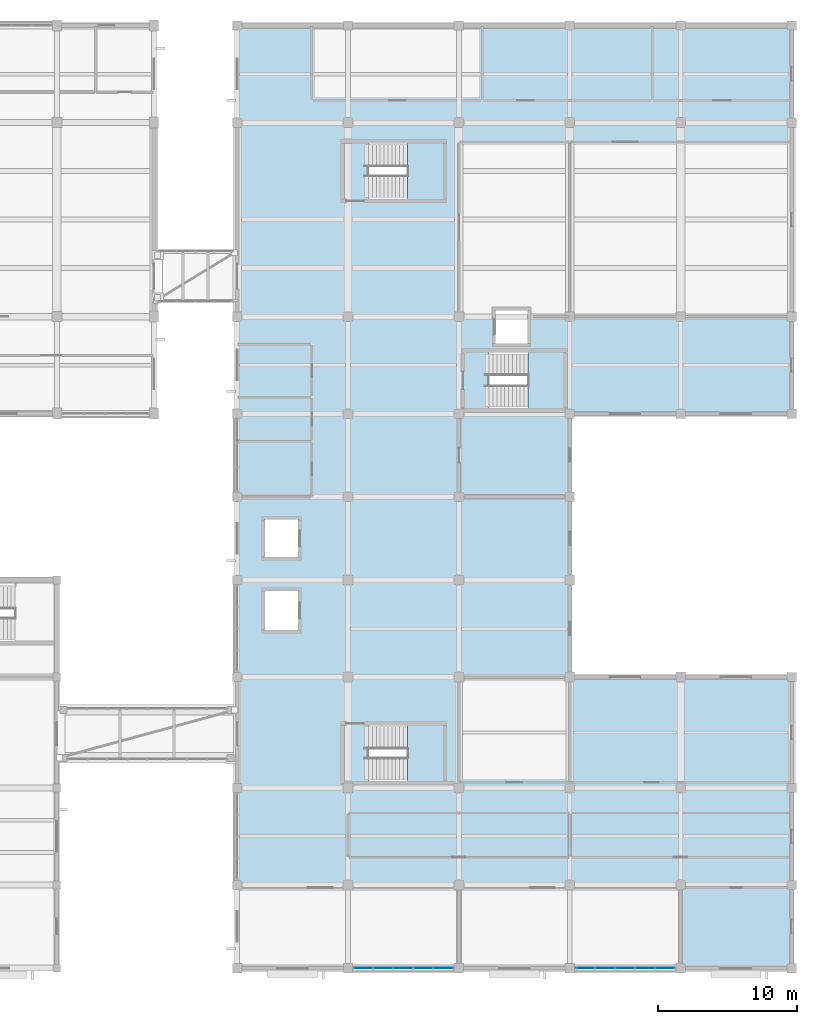
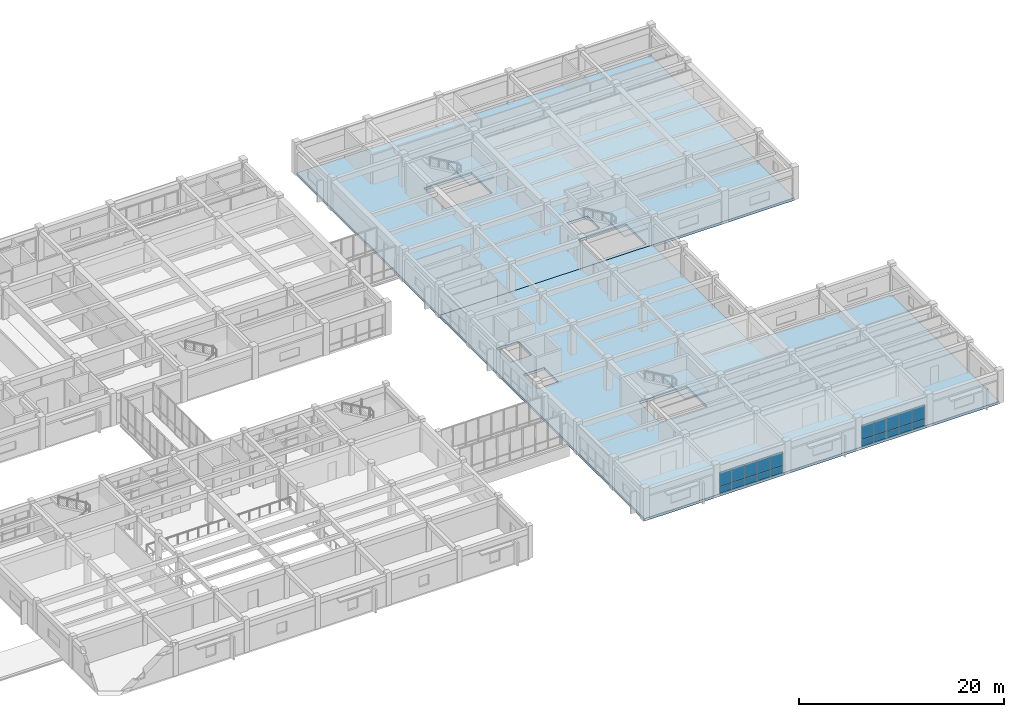
# One storey, part 42 of 66: 20 plates, 5 slabs, 5 elements without a shape of their own.
"""IFC4 building model written with IfcOpenShell, lengths in metres."""

from ifc_helpers import new_model, si_unit, direction, frame, origin, origin_2d, place, context, subcontext, project, spatial, polyline, rectangle, outline, extrude, material, layer, layer_set, type_object, element, aggregate, save


model = new_model("IFC4")

# Units and contexts
model_context = context("Model", 3, precision=1e-05, world=origin(), true_north=direction((0.0, 1.0)))
body_context = subcontext(model_context, "Body", "Model", "MODEL_VIEW")
ifc_project = project(units=[si_unit("LENGTHUNIT", "METRE"), si_unit("AREAUNIT", "SQUARE_METRE"), si_unit("VOLUMEUNIT", "CUBIC_METRE"), si_unit("PLANEANGLEUNIT", "RADIAN"), si_unit("MASSUNIT", "GRAM", prefix="KILO")], contexts=[model_context])

# Site, building, storey
site_placement = place(None, origin())
site = spatial("IfcSite", under=ifc_project, at=site_placement, CompositionType="ELEMENT")
building_placement = place(site_placement, origin())
building = spatial("IfcBuilding", under=site, at=building_placement, Name="Naurynzar Civic Courthouse", CompositionType="ELEMENT")
storey_placement = place(building_placement, frame((0.0, 0.0, 14.39990234375)))
storey = spatial("IfcBuildingStorey", under=building, at=storey_placement, Name="L04", CompositionType="ELEMENT", Elevation=14.39990234375)

# Curtain wall, plates
ifc_material_1 = material(Name="Aluminium 6063-T6", Category="aluminium")
ifc_layer_1 = layer(ifc_material_1, 0.179931640625)
ifc_layer_set_1 = layer_set([ifc_layer_1], Name="CW-UNIT-1500")
curtain_wall_type = type_object("IfcCurtainWallType", Name="CW-UNIT-1500", PredefinedType="NOTDEFINED", material=ifc_layer_set_1)
curtain_wall_1_placement = place(storey_placement, origin())
curtain_wall_1 = element("IfcCurtainWall", 1, at=curtain_wall_1_placement, inside=storey, type_object=curtain_wall_type, Name="V5 unitised curtain wall 100 L04", PredefinedType="NOTDEFINED")
ifc_material_2 = material(Name="Tempered Laminated Low-E Glass", Category="glass")
ifc_layer_2 = layer(ifc_material_2, 0.031982421875)
ifc_layer_set_2 = layer_set([ifc_layer_2], Name="CWP-IGU-32")
plate_type = type_object("IfcPlateType", Name="CWP-IGU-32", PredefinedType="CURTAIN_PANEL", material=ifc_layer_set_2)
plate_1_placement = place(storey_placement, frame((160.875, 4.0, 0.06005859375), z_axis=(0.0, 0.0, 1.0), x_axis=(-1.0, 0.0, 0.0)))
plate_1 = element("IfcPlate", 2, at=plate_1_placement, type_object=plate_type, Name="CW-01 panel 1.1", PredefinedType="CURTAIN_PANEL", context=body_context, shape_type="SweptSolid", body=[
    extrude(rectangle(XDim=1.35498046875, YDim=0.031982421875, at=origin_2d()), origin(), (0.0, 0.0, 1.0), 0.760009765625),
])
plate_2_placement = place(storey_placement, frame((160.875, 4.0, 0.880126953125), z_axis=(0.0, 0.0, 1.0), x_axis=(-1.0, 0.0, 0.0)))
plate_2 = element("IfcPlate", 3, at=plate_2_placement, type_object=plate_type, Name="CW-01 panel 1.2", PredefinedType="CURTAIN_PANEL", context=body_context, shape_type="SweptSolid", body=[
    extrude(rectangle(XDim=1.35498046875, YDim=0.031982421875, at=origin_2d()), origin(), (0.0, 0.0, 1.0), 1.669921875),
])
plate_3_placement = place(storey_placement, frame((159.445068359375, 4.0, 0.06005859375), z_axis=(0.0, 0.0, 1.0), x_axis=(-1.0, 0.0, 0.0)))
plate_3 = element("IfcPlate", 4, at=plate_3_placement, type_object=plate_type, Name="CW-01 panel 2.1", PredefinedType="CURTAIN_PANEL", context=body_context, shape_type="SweptSolid", body=[
    extrude(rectangle(XDim=1.385009765625, YDim=0.031982421875, at=origin_2d()), origin(), (0.0, 0.0, 1.0), 0.760009765625),
])
plate_4_placement = place(storey_placement, frame((159.445068359375, 4.0, 0.880126953125), z_axis=(0.0, 0.0, 1.0), x_axis=(-1.0, 0.0, 0.0)))
plate_4 = element("IfcPlate", 5, at=plate_4_placement, type_object=plate_type, Name="CW-01 panel 2.2", PredefinedType="CURTAIN_PANEL", context=body_context, shape_type="SweptSolid", body=[
    extrude(rectangle(XDim=1.385009765625, YDim=0.031982421875, at=origin_2d()), origin(), (0.0, 0.0, 1.0), 1.669921875),
])
plate_5_placement = place(storey_placement, frame((158.0, 4.0, 0.06005859375), z_axis=(0.0, 0.0, 1.0), x_axis=(-1.0, 0.0, 0.0)))
plate_5 = element("IfcPlate", 6, at=plate_5_placement, type_object=plate_type, Name="CW-01 panel 3.1", PredefinedType="CURTAIN_PANEL", context=body_context, shape_type="SweptSolid", body=[
    extrude(rectangle(XDim=1.385009765625, YDim=0.031982421875, at=origin_2d()), origin(), (0.0, 0.0, 1.0), 0.760009765625),
])
plate_6_placement = place(storey_placement, frame((158.0, 4.0, 0.880126953125), z_axis=(0.0, 0.0, 1.0), x_axis=(-1.0, 0.0, 0.0)))
plate_6 = element("IfcPlate", 7, at=plate_6_placement, type_object=plate_type, Name="CW-01 panel 3.2", PredefinedType="CURTAIN_PANEL", context=body_context, shape_type="SweptSolid", body=[
    extrude(rectangle(XDim=1.385009765625, YDim=0.031982421875, at=origin_2d()), origin(), (0.0, 0.0, 1.0), 1.669921875),
])
plate_7_placement = place(storey_placement, frame((156.554931640625, 4.0, 0.06005859375), z_axis=(0.0, 0.0, 1.0), x_axis=(-1.0, 0.0, 0.0)))
plate_7 = element("IfcPlate", 8, at=plate_7_placement, type_object=plate_type, Name="CW-01 panel 4.1", PredefinedType="CURTAIN_PANEL", context=body_context, shape_type="SweptSolid", body=[
    extrude(rectangle(XDim=1.385009765625, YDim=0.031982421875, at=origin_2d()), origin(), (0.0, 0.0, 1.0), 0.760009765625),
])
plate_8_placement = place(storey_placement, frame((156.554931640625, 4.0, 0.880126953125), z_axis=(0.0, 0.0, 1.0), x_axis=(-1.0, 0.0, 0.0)))
plate_8 = element("IfcPlate", 9, at=plate_8_placement, type_object=plate_type, Name="CW-01 panel 4.2", PredefinedType="CURTAIN_PANEL", context=body_context, shape_type="SweptSolid", body=[
    extrude(rectangle(XDim=1.385009765625, YDim=0.031982421875, at=origin_2d()), origin(), (0.0, 0.0, 1.0), 1.669921875),
])
plate_9_placement = place(storey_placement, frame((155.125, 4.0, 0.06005859375), z_axis=(0.0, 0.0, 1.0), x_axis=(-1.0, 0.0, 0.0)))
plate_9 = element("IfcPlate", 10, at=plate_9_placement, type_object=plate_type, Name="CW-01 panel 5.1", PredefinedType="CURTAIN_PANEL", context=body_context, shape_type="SweptSolid", body=[
    extrude(rectangle(XDim=1.35498046875, YDim=0.031982421875, at=origin_2d()), origin(), (0.0, 0.0, 1.0), 0.760009765625),
])
plate_10_placement = place(storey_placement, frame((155.125, 4.0, 0.880126953125), z_axis=(0.0, 0.0, 1.0), x_axis=(-1.0, 0.0, 0.0)))
plate_10 = element("IfcPlate", 11, at=plate_10_placement, type_object=plate_type, Name="CW-01 panel 5.2", PredefinedType="CURTAIN_PANEL", context=body_context, shape_type="SweptSolid", body=[
    extrude(rectangle(XDim=1.35498046875, YDim=0.031982421875, at=origin_2d()), origin(), (0.0, 0.0, 1.0), 1.669921875),
])
aggregate(curtain_wall_1, [plate_1, plate_2, plate_3, plate_4, plate_5, plate_6, plate_7, plate_8, plate_9, plate_10])

curtain_wall_2_placement = place(storey_placement, origin())
curtain_wall_2 = element("IfcCurtainWall", 12, at=curtain_wall_2_placement, inside=storey, type_object=curtain_wall_type, Name="V5 unitised curtain wall 101 L04", PredefinedType="NOTDEFINED")
plate_11_placement = place(storey_placement, frame((144.875, 4.0, 0.06005859375), z_axis=(0.0, 0.0, 1.0), x_axis=(-1.0, 0.0, 0.0)))
plate_11 = element("IfcPlate", 13, at=plate_11_placement, type_object=plate_type, Name="CW-01 panel 1.1", PredefinedType="CURTAIN_PANEL", context=body_context, shape_type="SweptSolid", body=[
    extrude(rectangle(XDim=1.35498046875, YDim=0.031982421875, at=origin_2d()), origin(), (0.0, 0.0, 1.0), 0.760009765625),
])
plate_12_placement = place(storey_placement, frame((144.875, 4.0, 0.880126953125), z_axis=(0.0, 0.0, 1.0), x_axis=(-1.0, 0.0, 0.0)))
plate_12 = element("IfcPlate", 14, at=plate_12_placement, type_object=plate_type, Name="CW-01 panel 1.2", PredefinedType="CURTAIN_PANEL", context=body_context, shape_type="SweptSolid", body=[
    extrude(rectangle(XDim=1.35498046875, YDim=0.031982421875, at=origin_2d()), origin(), (0.0, 0.0, 1.0), 1.669921875),
])
plate_13_placement = place(storey_placement, frame((143.445068359375, 4.0, 0.06005859375), z_axis=(0.0, 0.0, 1.0), x_axis=(-1.0, 0.0, 0.0)))
plate_13 = element("IfcPlate", 15, at=plate_13_placement, type_object=plate_type, Name="CW-01 panel 2.1", PredefinedType="CURTAIN_PANEL", context=body_context, shape_type="SweptSolid", body=[
    extrude(rectangle(XDim=1.385009765625, YDim=0.031982421875, at=origin_2d()), origin(), (0.0, 0.0, 1.0), 0.760009765625),
])
plate_14_placement = place(storey_placement, frame((143.445068359375, 4.0, 0.880126953125), z_axis=(0.0, 0.0, 1.0), x_axis=(-1.0, 0.0, 0.0)))
plate_14 = element("IfcPlate", 16, at=plate_14_placement, type_object=plate_type, Name="CW-01 panel 2.2", PredefinedType="CURTAIN_PANEL", context=body_context, shape_type="SweptSolid", body=[
    extrude(rectangle(XDim=1.385009765625, YDim=0.031982421875, at=origin_2d()), origin(), (0.0, 0.0, 1.0), 1.669921875),
])
plate_15_placement = place(storey_placement, frame((142.0, 4.0, 0.06005859375), z_axis=(0.0, 0.0, 1.0), x_axis=(-1.0, 0.0, 0.0)))
plate_15 = element("IfcPlate", 17, at=plate_15_placement, type_object=plate_type, Name="CW-01 panel 3.1", PredefinedType="CURTAIN_PANEL", context=body_context, shape_type="SweptSolid", body=[
    extrude(rectangle(XDim=1.385009765625, YDim=0.031982421875, at=origin_2d()), origin(), (0.0, 0.0, 1.0), 0.760009765625),
])
plate_16_placement = place(storey_placement, frame((142.0, 4.0, 0.880126953125), z_axis=(0.0, 0.0, 1.0), x_axis=(-1.0, 0.0, 0.0)))
plate_16 = element("IfcPlate", 18, at=plate_16_placement, type_object=plate_type, Name="CW-01 panel 3.2", PredefinedType="CURTAIN_PANEL", context=body_context, shape_type="SweptSolid", body=[
    extrude(rectangle(XDim=1.385009765625, YDim=0.031982421875, at=origin_2d()), origin(), (0.0, 0.0, 1.0), 1.669921875),
])
plate_17_placement = place(storey_placement, frame((140.554931640625, 4.0, 0.06005859375), z_axis=(0.0, 0.0, 1.0), x_axis=(-1.0, 0.0, 0.0)))
plate_17 = element("IfcPlate", 19, at=plate_17_placement, type_object=plate_type, Name="CW-01 panel 4.1", PredefinedType="CURTAIN_PANEL", context=body_context, shape_type="SweptSolid", body=[
    extrude(rectangle(XDim=1.385009765625, YDim=0.031982421875, at=origin_2d()), origin(), (0.0, 0.0, 1.0), 0.760009765625),
])
plate_18_placement = place(storey_placement, frame((140.554931640625, 4.0, 0.880126953125), z_axis=(0.0, 0.0, 1.0), x_axis=(-1.0, 0.0, 0.0)))
plate_18 = element("IfcPlate", 20, at=plate_18_placement, type_object=plate_type, Name="CW-01 panel 4.2", PredefinedType="CURTAIN_PANEL", context=body_context, shape_type="SweptSolid", body=[
    extrude(rectangle(XDim=1.385009765625, YDim=0.031982421875, at=origin_2d()), origin(), (0.0, 0.0, 1.0), 1.669921875),
])
plate_19_placement = place(storey_placement, frame((139.125, 4.0, 0.06005859375), z_axis=(0.0, 0.0, 1.0), x_axis=(-1.0, 0.0, 0.0)))
plate_19 = element("IfcPlate", 21, at=plate_19_placement, type_object=plate_type, Name="CW-01 panel 5.1", PredefinedType="CURTAIN_PANEL", context=body_context, shape_type="SweptSolid", body=[
    extrude(rectangle(XDim=1.35498046875, YDim=0.031982421875, at=origin_2d()), origin(), (0.0, 0.0, 1.0), 0.760009765625),
])
plate_20_placement = place(storey_placement, frame((139.125, 4.0, 0.880126953125), z_axis=(0.0, 0.0, 1.0), x_axis=(-1.0, 0.0, 0.0)))
plate_20 = element("IfcPlate", 22, at=plate_20_placement, type_object=plate_type, Name="CW-01 panel 5.2", PredefinedType="CURTAIN_PANEL", context=body_context, shape_type="SweptSolid", body=[
    extrude(rectangle(XDim=1.35498046875, YDim=0.031982421875, at=origin_2d()), origin(), (0.0, 0.0, 1.0), 1.669921875),
])
aggregate(curtain_wall_2, [plate_11, plate_12, plate_13, plate_14, plate_15, plate_16, plate_17, plate_18, plate_19, plate_20])

# Stair, slab
ifc_material_3 = material(Name="Concrete C35/45", Category="concrete")
stair_type_1 = type_object("IfcStairType", Name="STAIR-CORE-1600", PredefinedType="TWO_STRAIGHT_RUN_STAIR", material=ifc_material_3)
stair_1_placement = place(storey_placement, origin())
stair_1 = element("IfcStair", 23, at=stair_1_placement, inside=storey, type_object=stair_type_1, Name="Enclosed escape stair ST-V5A L04", PredefinedType="TWO_STRAIGHT_RUN_STAIR")
ifc_material_4 = material(Name="Concrete C35/45", Category="concrete")
ifc_layer_3 = layer(ifc_material_4, 0.199951171875)
ifc_layer_set_3 = layer_set([ifc_layer_3], Name="SLB-LAND-200")
slab_type_1 = type_object("IfcSlabType", Name="SLB-LAND-200", PredefinedType="LANDING", material=ifc_layer_set_3)
slab_1_placement = place(storey_placement, frame((0.0, 0.0, 1.75)))
slab_1 = element("IfcSlab", 24, at=slab_1_placement, type_object=slab_type_1, Name="ST-V5A-L04 landing 1", PredefinedType="LANDING", context=body_context, shape_type="SweptSolid", body=[
    extrude(outline(polyline([(142.280029296875, 17.3798828125), (144.969970703125, 17.3798828125), (144.969970703125, 21.6201171875), (142.280029296875, 21.6201171875), (142.280029296875, 17.3798828125)])), origin(), (0.0, 0.0, 1.0), 0.2001953125),
])
aggregate(stair_1, [slab_1])

stair_2_placement = place(storey_placement, origin())
stair_2 = element("IfcStair", 25, at=stair_2_placement, inside=storey, type_object=stair_type_1, Name="Enclosed escape stair ST-V5B L04", PredefinedType="TWO_STRAIGHT_RUN_STAIR")
slab_2_placement = place(storey_placement, frame((0.0, 0.0, 1.75)))
slab_2 = element("IfcSlab", 26, at=slab_2_placement, type_object=slab_type_1, Name="ST-V5B-L04 landing 1", PredefinedType="LANDING", context=body_context, shape_type="SweptSolid", body=[
    extrude(outline(polyline([(142.280029296875, 59.3798828125), (144.969970703125, 59.3798828125), (144.969970703125, 63.6201171875), (142.280029296875, 63.6201171875), (142.280029296875, 59.3798828125)])), origin(), (0.0, 0.0, 1.0), 0.2001953125),
])
aggregate(stair_2, [slab_2])

ifc_material_5 = material(Name="Concrete C35/45", Category="concrete")
stair_type_2 = type_object("IfcStairType", Name="STAIR-CUS-1550", PredefinedType="TWO_STRAIGHT_RUN_STAIR", material=ifc_material_5)
stair_3_placement = place(storey_placement, origin())
stair_3 = element("IfcStair", 27, at=stair_3_placement, inside=storey, type_object=stair_type_2, Name="Enclosed escape stair ST-CUS L04", PredefinedType="TWO_STRAIGHT_RUN_STAIR")
slab_3_placement = place(storey_placement, frame((0.0, 0.0, 1.75)))
slab_3 = element("IfcSlab", 28, at=slab_3_placement, type_object=slab_type_1, Name="ST-CUS-L04 landing 1", PredefinedType="LANDING", context=body_context, shape_type="SweptSolid", body=[
    extrude(outline(polyline([(150.97998046875, 44.280029296875), (153.669921875, 44.280029296875), (153.669921875, 48.52001953125), (150.97998046875, 48.52001953125), (150.97998046875, 44.280029296875)])), origin(), (0.0, 0.0, 1.0), 0.2001953125),
])
aggregate(stair_3, [slab_3])

# Slabs
ifc_material_6 = material(Name="Concrete C35/45", Category="concrete")
ifc_layer_4 = layer(ifc_material_6, 0.300048828125)
ifc_layer_set_4 = layer_set([ifc_layer_4], Name="SLB-PT-300")
slab_type_2 = type_object("IfcSlabType", Name="SLB-PT-300", PredefinedType="FLOOR", material=ifc_layer_set_4)
slab_4_placement = place(storey_placement, frame((0.0, 0.0, -0.2998046875)))
element("IfcSlab", 29, at=slab_4_placement, inside=storey, type_object=slab_type_2, Name="V5 floor slab L04 S", PredefinedType="FLOOR", context=body_context, shape_type="SweptSolid", body=[
    extrude(outline(polyline([(170.0, 4.0), (130.0, 4.0), (130.0, 44.0), (154.0, 44.0), (154.0, 25.0), (170.0, 25.0), (170.0, 4.0)]), holes=[polyline([(139.47998046875, 17.5), (144.85009765625, 17.5), (144.85009765625, 21.5), (139.47998046875, 21.5), (139.47998046875, 17.5)]), polyline([(132.0, 33.64990234375), (134.39990234375, 33.64990234375), (134.39990234375, 36.35009765625), (132.0, 36.35009765625), (132.0, 33.64990234375)]), polyline([(132.0, 28.39990234375), (134.39990234375, 28.39990234375), (134.39990234375, 31.199951171875), (132.0, 31.199951171875), (132.0, 28.39990234375)])]), origin(), (0.0, 0.0, 1.0), 0.2998046875),
])
slab_5_placement = place(storey_placement, frame((0.0, 0.0, -0.2998046875)))
element("IfcSlab", 30, at=slab_5_placement, inside=storey, type_object=slab_type_2, Name="V5 floor slab L04 N", PredefinedType="FLOOR", context=body_context, shape_type="SweptSolid", body=[
    extrude(outline(polyline([(170.0, 44.0), (170.0, 72.0), (130.0, 72.0), (130.0, 44.0), (170.0, 44.0)]), holes=[polyline([(139.47998046875, 59.5), (144.85009765625, 59.5), (144.85009765625, 63.5), (139.47998046875, 63.5), (139.47998046875, 59.5)]), polyline([(148.179931640625, 44.39990234375), (153.550048828125, 44.39990234375), (153.550048828125, 48.39990234375), (148.179931640625, 48.39990234375), (148.179931640625, 44.39990234375)]), polyline([(148.64990234375, 49.050048828125), (150.949951171875, 49.050048828125), (150.949951171875, 51.449951171875), (148.64990234375, 51.449951171875), (148.64990234375, 49.050048828125)])]), origin(), (0.0, 0.0, 1.0), 0.2998046875),
])

save(model, "model.ifc")
